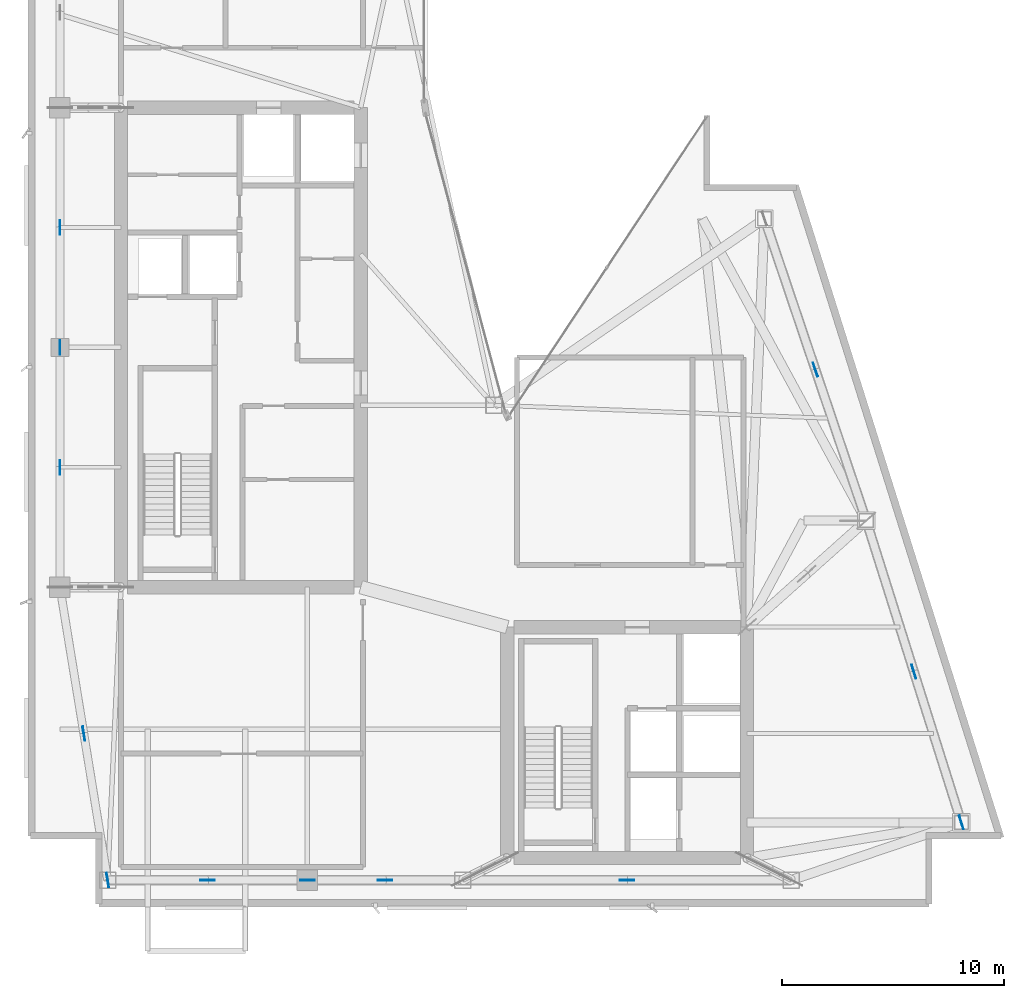
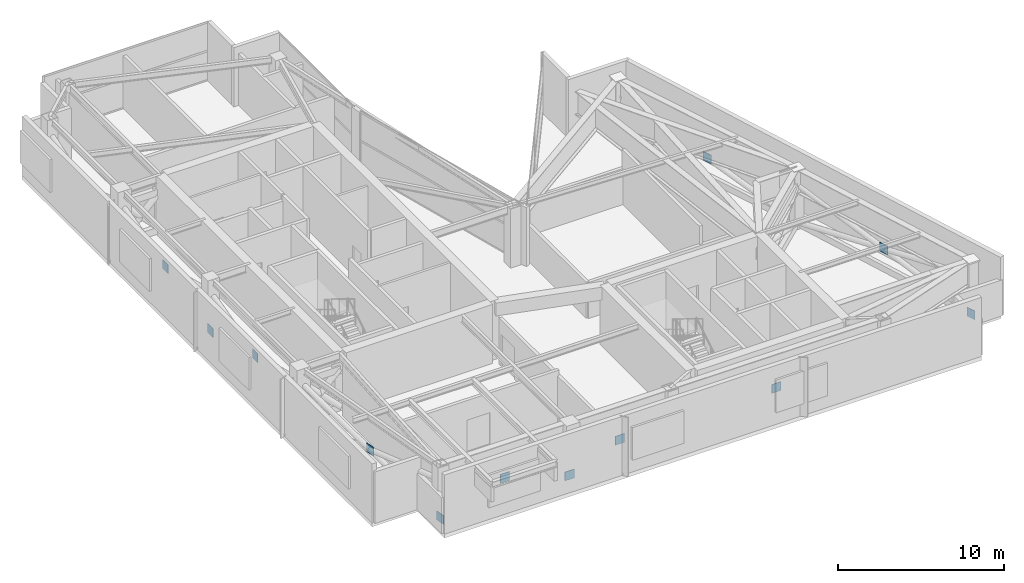
# One storey, part 10 of 15: 12 plates.
"""IFC4 building model written with IfcOpenShell, lengths in metres."""

from ifc_helpers import new_model, si_unit, direction, frame, origin, origin_2d, place, context, subcontext, project, spatial, rectangle, extrude, material, layer, layer_set, type_object, element, save


model = new_model("IFC4")

# Units and contexts
model_context = context("Model", 3, precision=1e-05, world=origin(), true_north=direction((0.0, 1.0)))
body_context = subcontext(model_context, "Body", "Model", "MODEL_VIEW")
ifc_project = project(units=[si_unit("LENGTHUNIT", "METRE"), si_unit("AREAUNIT", "SQUARE_METRE"), si_unit("VOLUMEUNIT", "CUBIC_METRE"), si_unit("PLANEANGLEUNIT", "RADIAN"), si_unit("MASSUNIT", "GRAM", prefix="KILO")], contexts=[model_context])

# Site, building, storey
site_placement = place(None, origin())
site = spatial("IfcSite", under=ifc_project, at=site_placement, CompositionType="ELEMENT")
building_placement = place(site_placement, origin())
building = spatial("IfcBuilding", under=site, at=building_placement, Name="Calvorn Quay Hotel", CompositionType="ELEMENT")
storey_placement = place(building_placement, frame((0.0, 0.0, 282.5)))
storey = spatial("IfcBuildingStorey", under=building, at=storey_placement, Name="L70", CompositionType="ELEMENT", Elevation=282.5)

# Plates
ifc_material = material(Name="Steel Q390GJC", Category="steel")
ifc_layer = layer(ifc_material, 0.035888671875)
ifc_layer_set = layer_set([ifc_layer], Name="PLT-GUSSET-36")
plate_type = type_object("IfcPlateType", Name="PLT-GUSSET-36", PredefinedType="SHEET", material=ifc_layer_set)
for number, where, z_axis, x_axis, name in (
    (1, (3.60009765625, 3.60009765625, 0.025146484375), (0.0, 0.0, 1.0), (-0.160742565604, 0.98699636656, 0.0), "Belt Truss Gusset Plate L70-BW1-A"),
    (2, (2.52490234375, 10.199951171875, 1.425048828125), (0.0, 0.0, 1.0), (-0.160742565604, 0.98699636656, 0.0), "Belt Truss Gusset Plate L70-BW1-X"),
    (3, (1.449951171875, 22.199951171875, 1.425048828125), (0.0, 0.0, 1.0), (0.0, 1.0, 0.0), "Belt Truss Gusset Plate L70-BW2-X"),
    (4, (1.449951171875, 27.60009765625, 0.025146484375), (0.0, 0.0, 1.0), (0.0, 1.0, 0.0), "Belt Truss Gusset Plate L70-BW2-B"),
    (5, (1.449951171875, 33.0, 1.425048828125), (0.0, 0.0, 1.0), (0.0, 1.0, 0.0), "Belt Truss Gusset Plate L70-BW3-X"),
    (6, (8.10009765625, 3.60009765625, 1.425048828125), (0.0, 0.0, 1.0), (1.0, 0.0, 0.0), "Belt Truss Gusset Plate L70-BS1-X"),
    (7, (12.60009765625, 3.60009765625, 0.025146484375), (0.0, 0.0, 1.0), (1.0, 0.0, 0.0), "Belt Truss Gusset Plate L70-BS1-B"),
    (8, (16.10009765625, 3.60009765625, 1.425048828125), (0.0, 0.0, 1.0), (1.0, 0.0, 0.0), "Belt Truss Gusset Plate L70-BS2-X"),
    (9, (27.0, 3.60009765625, 1.425048828125), (0.0, 0.0, 1.0), (1.0, 0.0, 0.0), "Belt Truss Gusset Plate L70-BS3-X"),
    (10, (42.06103515625, 6.199951171875, 0.025146484375), (0.0, 0.0, 1.0), (-0.300539339916, 0.953769419285, 0.0), "Belt Truss Gusset Plate L70-BE1-A"),
    (11, (39.9189453125, 13.0, 1.425048828125), (0.0, 0.0, 1.0), (-0.300539339916, 0.953769419285, 0.0), "Belt Truss Gusset Plate L70-BE1-X"),
    (12, (35.48388671875, 26.60009765625, 1.425048828125), (0.0, 0.0, 1.0), (-0.319455515932, 0.947601273395, 0.0), "Belt Truss Gusset Plate L70-BE2-X"),
):
    element("IfcPlate", number, at=place(storey_placement, frame(where, z_axis=z_axis, x_axis=x_axis)), inside=storey, type_object=plate_type, Name=name, PredefinedType="SHEET", context=body_context, shape_type="SweptSolid", body=[
        extrude(rectangle(XDim=0.64990234375, YDim=0.035888671875, at=origin_2d()), origin(), (0.0, 0.0, 1.0), 0.64990234375),
    ])

save(model, "model.ifc")
